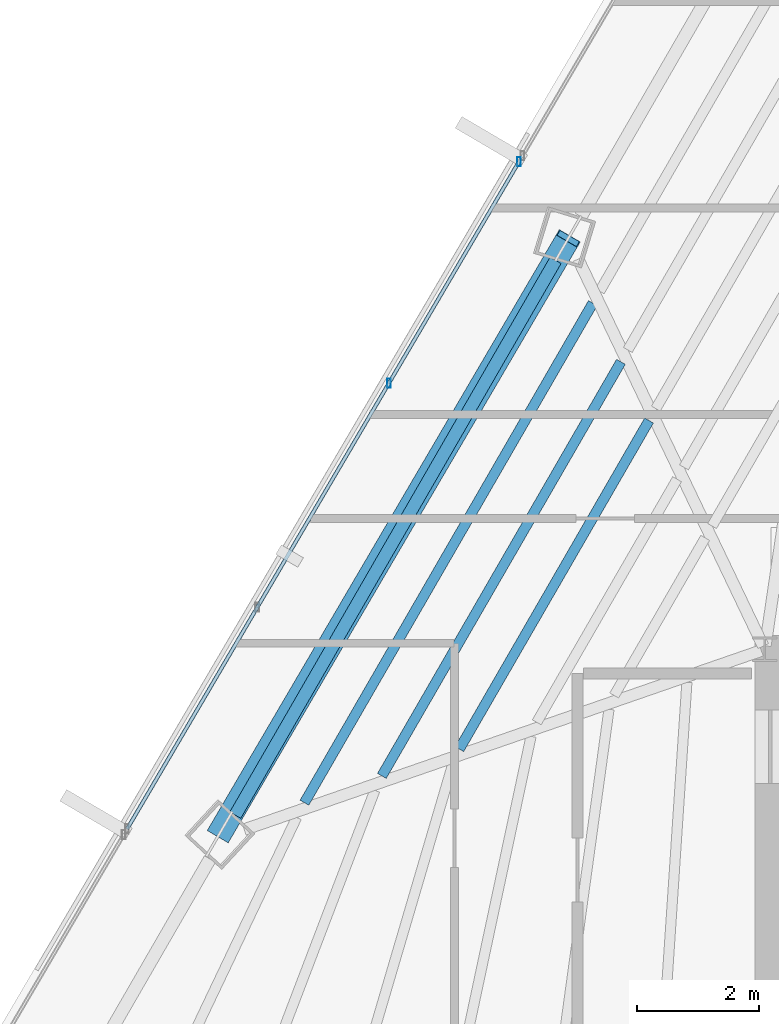
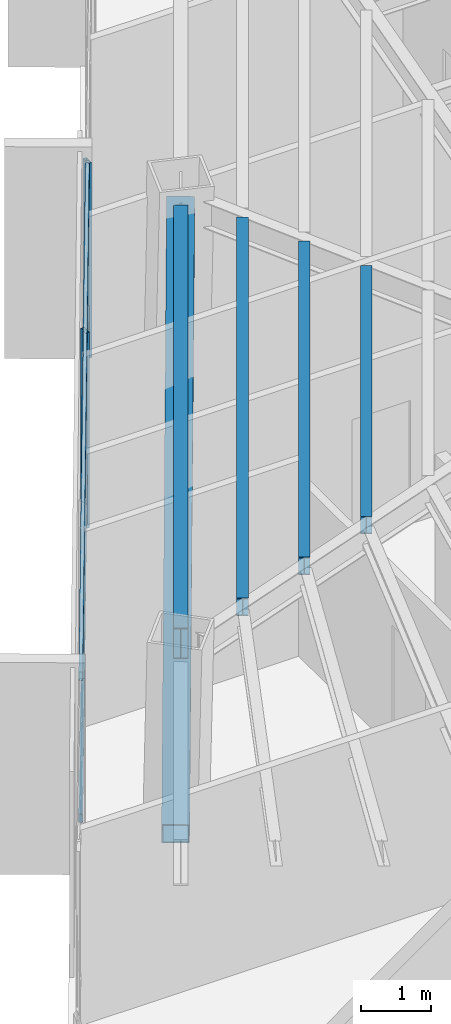
# One storey, part 15 of 42: 5 members, 4 beams, 1 element without a shape of its own.
"""IFC4 building model written with IfcOpenShell, lengths in metres."""

from ifc_helpers import new_model, si_unit, direction, frame, origin, origin_2d, place, context, subcontext, project, spatial, hollow_rectangle, i_section, extrude, source, transform, mapped, material, material_profile, profile_set, type_object, type_shapes, element, aggregate, save


model = new_model("IFC4")

# Units and contexts
model_context = context("Model", 3, precision=1e-05, world=origin(), true_north=direction((0.0, 1.0)))
body_context = subcontext(model_context, "Body", "Model", "MODEL_VIEW")
ifc_project = project(units=[si_unit("LENGTHUNIT", "METRE"), si_unit("AREAUNIT", "SQUARE_METRE"), si_unit("VOLUMEUNIT", "CUBIC_METRE"), si_unit("PLANEANGLEUNIT", "RADIAN"), si_unit("MASSUNIT", "GRAM", prefix="KILO")], contexts=[model_context])

# Site, building, storey
site_placement = place(None, origin())
site = spatial("IfcSite", under=ifc_project, at=site_placement, CompositionType="ELEMENT")
building_placement = place(site_placement, origin())
building = spatial("IfcBuilding", under=site, at=building_placement, Name="Caelisora Broadcast Tower", CompositionType="ELEMENT")
storey_placement = place(building_placement, frame((0.0, 0.0, 202.300048828125)))
storey = spatial("IfcBuildingStorey", under=building, at=storey_placement, Name="L53", CompositionType="ELEMENT", Elevation=202.300048828125)

# Beams
ifc_material_1 = material(Name="Steel Grade 350 (AS/NZS 3679.1)", Category="steel")
ifc_material_profile_1 = material_profile(ifc_material_1, i_section(OverallWidth=0.208984375, OverallDepth=0.532958984375, WebThickness=0.01025390625, FlangeThickness=0.015625, at=origin_2d()), Name="Steel Grade 350 (AS/NZS 3679.1)")
ifc_profile_set_1 = profile_set([ifc_material_profile_1], Name="Steel Grade 350 (AS/NZS 3679.1)")
beam_type_1 = type_object("IfcBeamType", Name="PG05", PredefinedType="BEAM", material=ifc_profile_set_1)
shared_shape_1 = source(origin(), body_context, "Body", "SweptSolid", [
    extrude(i_section(OverallWidth=0.208984375, OverallDepth=0.532958984375, WebThickness=0.01025390625, FlangeThickness=0.015625, at=origin_2d()), origin(), (0.0, 0.0, 1.0), 10.524169921875),
])
type_shapes(beam_type_1, [shared_shape_1])
beam_1_placement = place(storey_placement, frame((27.062744140625, 36.390869140625, 3.133544921875), z_axis=(-0.500006259065, -0.866021790081, 0.0), x_axis=(0.866021790081, -0.500006259065, 0.0)))
element("IfcBeam", 1, at=beam_1_placement, inside=storey, type_object=beam_type_1, Name="L53 beam PG05", PredefinedType="BEAM", context=body_context, shape_type="MappedRepresentation", body=[
    mapped(shared_shape_1, transform((0.0, 0.0, 0.0), scale=1.0)),
])
ifc_material_profile_2 = material_profile(ifc_material_1, i_section(OverallWidth=0.166015625, OverallDepth=0.30712890625, WebThickness=0.006591796875, FlangeThickness=0.01171875, at=origin_2d()), Name="Steel Grade 350 (AS/NZS 3679.1)")
ifc_profile_set_2 = profile_set([ifc_material_profile_2], Name="Steel Grade 350 (AS/NZS 3679.1)")
beam_type_2 = type_object("IfcBeamType", Name="SB03", PredefinedType="JOIST", material=ifc_profile_set_2)
shared_shape_2 = source(origin(), body_context, "Body", "SweptSolid", [
    extrude(i_section(OverallWidth=0.166015625, OverallDepth=0.30712890625, WebThickness=0.006591796875, FlangeThickness=0.01171875, at=origin_2d()), origin(), (0.0, 0.0, 1.0), 6.233642578125),
])
beam_2_placement = place(storey_placement, frame((28.598388671875, 33.760009765625, 3.246337890625), z_axis=(-0.50001853021, -0.866014705099, 0.0), x_axis=(0.866014705099, -0.50001853021, 0.0)))
element("IfcBeam", 2, at=beam_2_placement, inside=storey, type_object=beam_type_2, Name="L53 beam SB03", PredefinedType="JOIST", context=body_context, shape_type="MappedRepresentation", body=[
    mapped(shared_shape_2, transform((0.0, 0.0, 0.0), scale=1.0)),
])
shared_shape_3 = source(origin(), body_context, "Body", "SweptSolid", [
    extrude(i_section(OverallWidth=0.166015625, OverallDepth=0.30712890625, WebThickness=0.006591796875, FlangeThickness=0.01171875, at=origin_2d()), origin(), (0.0, 0.0, 1.0), 7.856201171875),
])
beam_3_placement = place(storey_placement, frame((28.136962890625, 34.724609375, 3.246337890625), z_axis=(-0.499986078503, -0.866033441215, 0.0), x_axis=(0.866033441215, -0.499986078503, 0.0)))
element("IfcBeam", 3, at=beam_3_placement, inside=storey, type_object=beam_type_2, Name="L53 beam SB03", PredefinedType="JOIST", context=body_context, shape_type="MappedRepresentation", body=[
    mapped(shared_shape_3, transform((0.0, 0.0, 0.0), scale=1.0)),
])
shared_shape_4 = source(origin(), body_context, "Body", "SweptSolid", [
    extrude(i_section(OverallWidth=0.166015625, OverallDepth=0.30712890625, WebThickness=0.006591796875, FlangeThickness=0.01171875, at=origin_2d()), origin(), (0.0, 0.0, 1.0), 9.478271484375),
])
type_shapes(beam_type_2, [shared_shape_2, shared_shape_3, shared_shape_4])
beam_4_placement = place(storey_placement, frame((27.675537109375, 35.68896484375, 3.246337890625), z_axis=(-0.499987042086, -0.866032884911, 0.0), x_axis=(0.866032884911, -0.499987042086, 0.0)))
element("IfcBeam", 4, at=beam_4_placement, inside=storey, type_object=beam_type_2, Name="L53 beam SB03", PredefinedType="JOIST", context=body_context, shape_type="MappedRepresentation", body=[
    mapped(shared_shape_4, transform((0.0, 0.0, 0.0), scale=1.0)),
])

# Member
ifc_material_2 = material(Name="Steel Grade 450 (AS/NZS 1163 C450L0)", Category="steel")
ifc_material_profile_3 = material_profile(ifc_material_2, hollow_rectangle(XDim=0.39990234375, YDim=0.39990234375, WallThickness=0.01611328125, at=origin_2d()), Name="Steel Grade 450 (AS/NZS 1163 C450L0)")
ifc_profile_set_3 = profile_set([ifc_material_profile_3], Name="Steel Grade 450 (AS/NZS 1163 C450L0)")
member_type_1 = type_object("IfcMemberType", Name="BR04", PredefinedType="BRACE", material=ifc_profile_set_3)
shared_shape_5 = source(origin(), body_context, "Body", "SweptSolid", [
    extrude(hollow_rectangle(XDim=0.39990234375, YDim=0.39990234375, WallThickness=0.01611328125, at=origin_2d()), origin(), (0.0, 0.0, 1.0), 11.73046875),
])
type_shapes(member_type_1, [shared_shape_5])
member_1_placement = place(storey_placement, frame((27.270751953125, 36.751220703125, 3.099853515625), z_axis=(-0.488700062319, -0.834126361637, -0.255744915709), x_axis=(0.862820047862, -0.505511191772, 0.0)))
element("IfcMember", 5, at=member_1_placement, inside=storey, type_object=member_type_1, Name="L53 perimeter brace BR04", PredefinedType="BRACE", context=body_context, shape_type="MappedRepresentation", body=[
    mapped(shared_shape_5, transform((0.0, 0.0, 0.0), scale=1.0)),
])

# Curtain wall, members
ifc_material_3 = material(Name="Unitised Aluminium Insulated Shadow-Box Spandrel Curtain Wall", Category="aluminium")
curtain_wall_type = type_object("IfcCurtainWallType", Name="CW-SP2", PredefinedType="NOTDEFINED", material=ifc_material_3)
curtain_wall_placement = place(storey_placement, origin())
curtain_wall = element("IfcCurtainWall", 6, at=curtain_wall_placement, inside=storey, type_object=curtain_wall_type, Name="L53 curtain wall CW-SP2", PredefinedType="NOTDEFINED")
ifc_material_4 = material(Name="Aluminium 6063-T6 Anodised Terracotta Bronze", Category="aluminium")
ifc_material_profile_4 = material_profile(ifc_material_4, hollow_rectangle(XDim=0.06005859375, YDim=0.14990234375, WallThickness=0.00341796875, at=origin_2d()), Name="Aluminium 6063-T6 Anodised Terracotta Bronze")
ifc_profile_set_4 = profile_set([ifc_material_profile_4], Name="Aluminium 6063-T6 Anodised Terracotta Bronze")
member_type_2 = type_object("IfcMemberType", Name="CWM-03", PredefinedType="MULLION", material=ifc_profile_set_4)
shared_shape_6 = source(origin(), body_context, "Body", "SweptSolid", [
    extrude(hollow_rectangle(XDim=0.06005859375, YDim=0.14990234375, WallThickness=0.00341796875, at=origin_2d()), origin(), (0.0, 0.0, 1.0), 3.39990234375),
])
type_shapes(member_type_2, [shared_shape_6])
member_2_placement = place(storey_placement, frame((24.32470703125, 34.37255859375, 0.0), z_axis=(0.0, 0.0, 1.0), x_axis=(1.0, 0.0, 0.0)))
member_2 = element("IfcMember", 7, at=member_2_placement, type_object=member_type_2, Name="L53-CW-B10 mullion #2", PredefinedType="MULLION", context=body_context, shape_type="MappedRepresentation", body=[
    mapped(shared_shape_6, transform((0.0, 0.0, 0.0), scale=1.0)),
])
member_3_placement = place(storey_placement, frame((26.462158203125, 38.01220703125, 0.0), z_axis=(0.0, 0.0, 1.0), x_axis=(1.0, 0.0, 0.0)))
member_3 = element("IfcMember", 8, at=member_3_placement, type_object=member_type_2, Name="L53-CW-B10 mullion #3", PredefinedType="MULLION", context=body_context, shape_type="MappedRepresentation", body=[
    mapped(shared_shape_6, transform((0.0, 0.0, 0.0), scale=1.0)),
])
ifc_material_profile_5 = material_profile(ifc_material_4, hollow_rectangle(XDim=0.06005859375, YDim=0.14990234375, WallThickness=0.00341796875, at=origin_2d()), Name="Aluminium 6063-T6 Anodised Terracotta Bronze")
ifc_profile_set_5 = profile_set([ifc_material_profile_5], Name="Aluminium 6063-T6 Anodised Terracotta Bronze")
member_type_3 = type_object("IfcMemberType", Name="CWT-02", PredefinedType="USERDEFINED", material=ifc_profile_set_5)
shared_shape_7 = source(origin(), body_context, "Body", "SweptSolid", [
    extrude(hollow_rectangle(XDim=0.06005859375, YDim=0.14990234375, WallThickness=0.00341796875, at=origin_2d()), origin(), (0.0, 0.0, 1.0), 12.713134765625),
])
type_shapes(member_type_3, [shared_shape_7])
member_4_placement = place(storey_placement, frame((20.024169921875, 27.0498046875, 0.849853515625), z_axis=(0.506407349034, 0.862294379458, 0.0), x_axis=(-0.862294379458, 0.506407349034, 0.0)))
member_4 = element("IfcMember", 9, at=member_4_placement, type_object=member_type_3, Name="L53-CW-B10 transom #1", ObjectType="TRANSOM", PredefinedType="USERDEFINED", context=body_context, shape_type="MappedRepresentation", body=[
    mapped(shared_shape_7, transform((0.0, 0.0, 0.0), scale=1.0)),
])
member_5_placement = place(storey_placement, frame((20.024169921875, 27.0498046875, 3.320068359375), z_axis=(0.506407349034, 0.862294379458, 0.0), x_axis=(-0.862294379458, 0.506407349034, 0.0)))
member_5 = element("IfcMember", 10, at=member_5_placement, type_object=member_type_3, Name="L53-CW-B10 transom #2", ObjectType="TRANSOM", PredefinedType="USERDEFINED", context=body_context, shape_type="MappedRepresentation", body=[
    mapped(shared_shape_7, transform((0.0, 0.0, 0.0), scale=1.0)),
])
aggregate(curtain_wall, [member_2, member_3, member_4, member_5])

save(model, "model.ifc")
